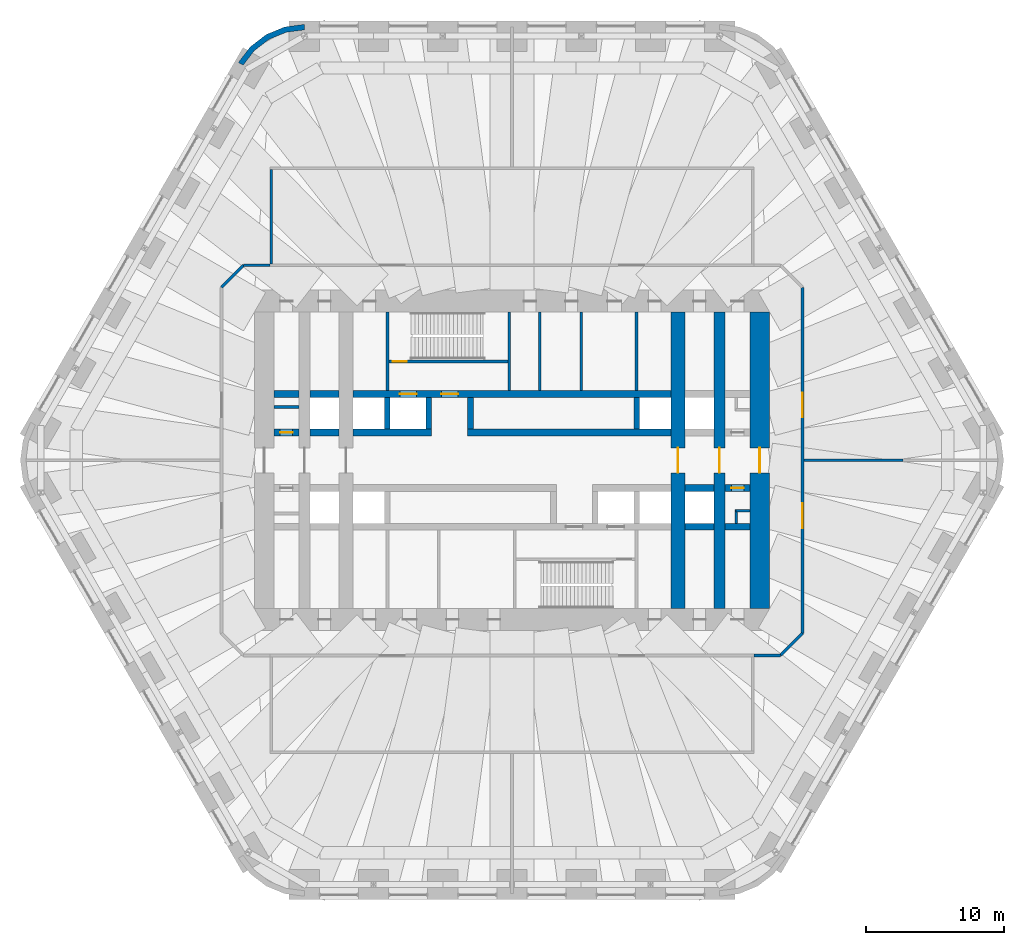
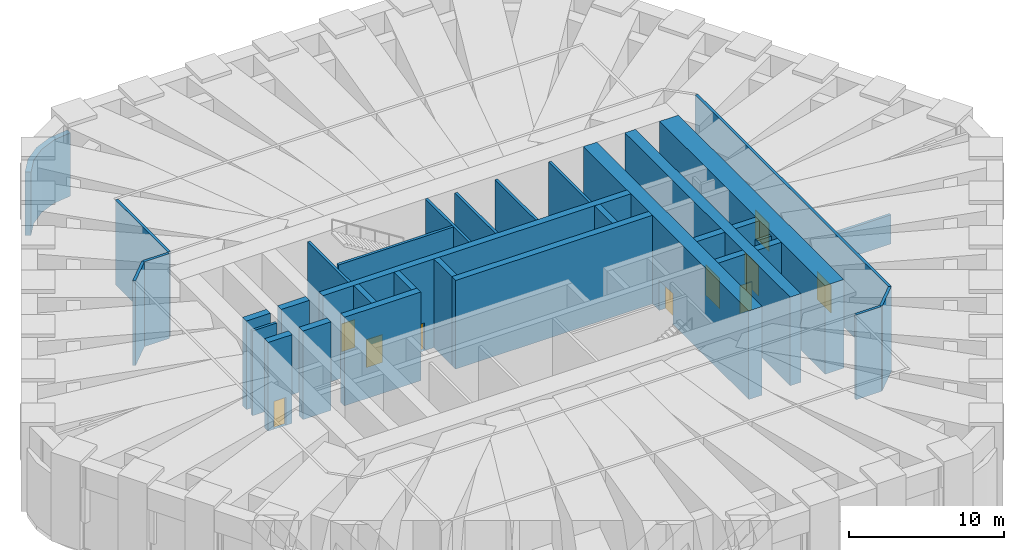
# One storey, part 14 of 16: 35 walls, 10 doors, 10 openings.
"""IFC4 building model written with IfcOpenShell, lengths in metres."""

from ifc_helpers import new_model, si_unit, direction, frame, frame_2d, origin, place, context, subcontext, project, spatial, polyline, rectangle, outline, extrude, material, layer, layer_set, type_object, element, fill, save


model = new_model("IFC4")

# Units and contexts
model_context = context("Model", 3, precision=1e-05, world=origin(), true_north=direction((0.0, 1.0)))
body_context = subcontext(model_context, "Body", "Model", "MODEL_VIEW")
ifc_project = project(units=[si_unit("LENGTHUNIT", "METRE"), si_unit("AREAUNIT", "SQUARE_METRE"), si_unit("VOLUMEUNIT", "CUBIC_METRE"), si_unit("PLANEANGLEUNIT", "RADIAN"), si_unit("MASSUNIT", "GRAM", prefix="KILO")], contexts=[model_context])

# Site, building, storey
site_placement = place(None, origin())
site = spatial("IfcSite", under=ifc_project, at=site_placement, CompositionType="ELEMENT")
building_placement = place(site_placement, origin())
building = spatial("IfcBuilding", under=site, at=building_placement, Name="Tarfa Lantern Tower", CompositionType="ELEMENT")
storey_placement = place(building_placement, frame((0.0, 0.0, 203.5)))
storey = spatial("IfcBuildingStorey", under=building, at=storey_placement, Name="L46", CompositionType="ELEMENT", Elevation=203.5)

# Walls
ifc_material_1 = material(Name="Limestone cladding on blockwork", Category="masonry")
ifc_layer_1 = layer(ifc_material_1, 0.39990234375)
ifc_layer_set_1 = layer_set([ifc_layer_1], Name="EW2 CURVED STONE CORNER 400")
wall_type_1 = type_object("IfcWallType", Name="EW2 CURVED STONE CORNER 400", PredefinedType="SOLIDWALL", material=ifc_layer_set_1)
wall_1_placement = place(storey_placement, origin())
element("IfcWall", 1, at=wall_1_placement, inside=storey, type_object=wall_type_1, Name="Stone corner N-NW", PredefinedType="SOLIDWALL", context=body_context, shape_type="SweptSolid", body=[
    extrude(outline(polyline([(-15.010986328125, 31.5), (-16.4345703125, 31.3125), (-17.760986328125, 30.76318359375), (-18.900146484375, 29.88916015625), (-19.774169921875, 28.75), (-19.427734375, 28.550048828125), (-18.617431640625, 29.606201171875), (-17.56103515625, 30.416748046875), (-16.3310546875, 30.92626953125), (-15.010986328125, 31.10009765625), (-15.010986328125, 31.5)])), origin(), (0.0, 0.0, 1.0), 5.0),
])
ifc_material_2 = material(Name="Concrete blockwork", Category="masonry")
ifc_layer_2 = layer(ifc_material_2, 0.199951171875)
ifc_layer_set_2 = layer_set([ifc_layer_2], Name="IW1 BLOCKWORK PARTITION 200 EI 120")
wall_type_2 = type_object("IfcWallType", Name="IW1 BLOCKWORK PARTITION 200 EI 120", PredefinedType="PARTITIONING", material=ifc_layer_set_2)
for number, where, z_axis, x_axis, name in (
    (2, (-9.0, 5.050048828125, 0.0), (0.0, 0.0, 1.0), (0.0, 1.0, 0.0), "Core partition"),
    (3, (9.0, 5.050048828125, 0.0), (0.0, 0.0, 1.0), (0.0, 1.0, 0.0), "Core partition"),
    (4, (2.0, 5.050048828125, 0.0), (0.0, 0.0, 1.0), (0.0, 1.0, 0.0), "Core partition"),
    (5, (5.0, 5.050048828125, 0.0), (0.0, 0.0, 1.0), (0.0, 1.0, 0.0), "Core partition"),
):
    element("IfcWall", number, at=place(storey_placement, frame(where, z_axis=z_axis, x_axis=x_axis)), inside=storey, type_object=wall_type_2, Name=name, PredefinedType="PARTITIONING", context=body_context, shape_type="SweptSolid", body=[
        extrude(rectangle(XDim=5.64990234375, YDim=0.199951171875, at=frame_2d((2.824951171875, 0.0))), origin(), (0.0, 0.0, 1.0), 6.699951171875),
    ])
wall_2_placement = place(storey_placement, frame((-17.199951171875, 3.85009765625, 0.0), z_axis=(0.0, 0.0, 1.0), x_axis=(1.0, 0.0, 0.0)))
element("IfcWall", 6, at=wall_2_placement, inside=storey, type_object=wall_type_2, Name="Core partition", PredefinedType="PARTITIONING", context=body_context, shape_type="SweptSolid", body=[
    extrude(rectangle(XDim=1.800048828125, YDim=0.199951171875, at=frame_2d((0.89990234375, 0.0))), origin(), (0.0, 0.0, 1.0), 6.699951171875),
])
for number, where, z_axis, x_axis, name in (
    (7, (17.199951171875, -3.64990234375, 0.0), (0.0, 0.0, 1.0), (-1.0, 0.0, 0.0), "Core partition"),
    (8, (16.199951171875, -3.550048828125, 0.0), (0.0, 0.0, 1.0), (0.0, -1.0, 0.0), "Core partition"),
):
    element("IfcWall", number, at=place(storey_placement, frame(where, z_axis=z_axis, x_axis=x_axis)), inside=storey, type_object=wall_type_2, Name=name, PredefinedType="PARTITIONING", context=body_context, shape_type="SweptSolid", body=[
        extrude(rectangle(XDim=1.0, YDim=0.199951171875, at=frame_2d((0.5, 0.0))), origin(), (0.0, 0.0, 1.0), 6.699951171875),
    ])
wall_3_placement = place(storey_placement, frame((-19.39990234375, 14.10009765625, 0.0), z_axis=(0.0, 0.0, 1.0), x_axis=(1.0, 0.0, 0.0)))
element("IfcWall", 9, at=wall_3_placement, inside=storey, type_object=wall_type_2, Name="Fire-rated partition", PredefinedType="PARTITIONING", context=body_context, shape_type="SweptSolid", body=[
    extrude(rectangle(XDim=1.89990234375, YDim=0.199951171875, at=frame_2d((0.949951171875, 0.0))), origin(), (0.0, 0.0, 1.0), 6.699951171875),
])

# Wall, openings, doors
wall_4_placement = place(storey_placement, frame((21.0, 12.5, 0.0), z_axis=(0.0, 0.0, 1.0), x_axis=(0.0, -1.0, 0.0)))
wall_4 = element("IfcWall", 10, at=wall_4_placement, inside=storey, type_object=wall_type_2, Name="Fire-rated partition", PredefinedType="PARTITIONING", context=body_context, shape_type="SweptSolid", body=[
    extrude(rectangle(XDim=25.0, YDim=0.199951171875, at=frame_2d((12.5, 0.0))), origin(), (0.0, 0.0, 1.0), 6.699951171875),
])
opening_1_placement = place(wall_4_placement, frame((7.60009765625, 0.0, 0.0)))
opening_1 = element("IfcOpeningElement", 11, at=opening_1_placement, cuts=wall_4, Name="Opening D33", PredefinedType="OPENING", context=body_context, shape_type="SweptSolid", body=[
    extrude(rectangle(XDim=1.800048828125, YDim=2.199951171875, at=frame_2d((0.89990234375, 1.10009765625))), frame((0.0, 0.10986328125, 0.0), z_axis=(0.0, -1.0, 0.0), x_axis=(1.0, 0.0, 0.0)), (0.0, 0.0, 1.0), 0.219970703125),
])
opening_2_placement = place(wall_4_placement, frame((15.60009765625, 0.0, 0.0)))
opening_2 = element("IfcOpeningElement", 12, at=opening_2_placement, cuts=wall_4, Name="Opening D35", PredefinedType="OPENING", context=body_context, shape_type="SweptSolid", body=[
    extrude(rectangle(XDim=1.800048828125, YDim=2.199951171875, at=frame_2d((0.89990234375, 1.10009765625))), frame((0.0, 0.10986328125, 0.0), z_axis=(0.0, -1.0, 0.0), x_axis=(1.0, 0.0, 0.0)), (0.0, 0.0, 1.0), 0.219970703125),
])
ifc_material_3 = material(Name="Steel fire door", Category="steel")
door_type_1 = type_object("IfcDoorType", Name="DF11 FIRE DOOR 1800x2200", OperationType="DOUBLE_DOOR_SINGLE_SWING", PredefinedType="DOOR", material=ifc_material_3)
door_1_placement = place(opening_1_placement, origin())
door_1 = element("IfcDoor", 13, at=door_1_placement, inside=storey, type_object=door_type_1, Name="Chilled water plant room door", OperationType="DOUBLE_DOOR_SINGLE_SWING", OverallHeight=2.199951171875, OverallWidth=1.800048828125, PredefinedType="DOOR", context=body_context, shape_type="SweptSolid", body=[
    extrude(rectangle(XDim=1.800048828125, YDim=2.199951171875, at=frame_2d((0.89990234375, 1.10009765625))), frame((0.0, 0.02490234375, 0.0), z_axis=(0.0, -1.0, 0.0), x_axis=(1.0, 0.0, 0.0)), (0.0, 0.0, 1.0), 0.050048828125),
])
fill(opening_1, door_1)
door_2_placement = place(opening_2_placement, origin())
door_2 = element("IfcDoor", 14, at=door_2_placement, inside=storey, type_object=door_type_1, Name="Electrical plant room door", OperationType="DOUBLE_DOOR_SINGLE_SWING", OverallHeight=2.199951171875, OverallWidth=1.800048828125, PredefinedType="DOOR", context=body_context, shape_type="SweptSolid", body=[
    extrude(rectangle(XDim=1.800048828125, YDim=2.199951171875, at=frame_2d((0.89990234375, 1.10009765625))), frame((0.0, 0.02490234375, 0.0), z_axis=(0.0, -1.0, 0.0), x_axis=(1.0, 0.0, 0.0)), (0.0, 0.0, 1.0), 0.050048828125),
])
fill(opening_2, door_2)

# Walls
wall_5_placement = place(storey_placement, frame((21.0, -12.5, 0.0), z_axis=(0.0, 0.0, 1.0), x_axis=(-0.707106781187, -0.707106781187, 0.0)))
element("IfcWall", 15, at=wall_5_placement, inside=storey, type_object=wall_type_2, Name="Fire-rated partition", PredefinedType="PARTITIONING", context=body_context, shape_type="SweptSolid", body=[
    extrude(rectangle(XDim=2.262939453125, YDim=0.199951171875, at=frame_2d((1.13134765625, 0.0))), origin(), (0.0, 0.0, 1.0), 6.699951171875),
])
wall_6_placement = place(storey_placement, frame((19.39990234375, -14.10009765625, 0.0), z_axis=(0.0, 0.0, 1.0), x_axis=(-1.0, 0.0, 0.0)))
element("IfcWall", 16, at=wall_6_placement, inside=storey, type_object=wall_type_2, Name="Fire-rated partition", PredefinedType="PARTITIONING", context=body_context, shape_type="SweptSolid", body=[
    extrude(rectangle(XDim=1.89990234375, YDim=0.199951171875, at=frame_2d((0.949951171875, 0.0))), origin(), (0.0, 0.0, 1.0), 6.699951171875),
])
wall_7_placement = place(storey_placement, frame((-21.0, 12.5, 0.0), z_axis=(0.0, 0.0, 1.0), x_axis=(0.707106781187, 0.707106781187, 0.0)))
element("IfcWall", 17, at=wall_7_placement, inside=storey, type_object=wall_type_2, Name="Fire-rated partition", PredefinedType="PARTITIONING", context=body_context, shape_type="SweptSolid", body=[
    extrude(rectangle(XDim=2.262939453125, YDim=0.199951171875, at=frame_2d((1.13134765625, 0.0))), origin(), (0.0, 0.0, 1.0), 6.699951171875),
])
wall_8_placement = place(storey_placement, frame((21.10009765625, 0.0, 0.0), z_axis=(0.0, 0.0, 1.0), x_axis=(1.0, 0.0, 0.0)))
element("IfcWall", 18, at=wall_8_placement, inside=storey, type_object=wall_type_2, Name="Fire-rated partition", PredefinedType="PARTITIONING", context=body_context, shape_type="SweptSolid", body=[
    extrude(rectangle(XDim=7.1484375, YDim=0.199951171875, at=frame_2d((3.57421875, 0.0))), origin(), (0.0, 0.0, 1.0), 2.300048828125),
])
ifc_material_4 = material(Name="Gypsum board on steel studs", Category="steel")
ifc_layer_3 = layer(ifc_material_4, 0.2099609375)
ifc_layer_set_3 = layer_set([ifc_layer_3], Name="IW2 ACOUSTIC PARTITION 200")
wall_type_3 = type_object("IfcWallType", Name="IW2 ACOUSTIC PARTITION 200", PredefinedType="PARTITIONING", material=ifc_layer_set_3)
wall_9_placement = place(storey_placement, frame((-17.39990234375, 14.199951171875, 0.0), z_axis=(0.0, 0.0, 1.0), x_axis=(0.0, 1.0, 0.0)))
element("IfcWall", 19, at=wall_9_placement, inside=storey, type_object=wall_type_3, Name="Partition", PredefinedType="PARTITIONING", context=body_context, shape_type="SweptSolid", body=[
    extrude(rectangle(XDim=6.800048828125, YDim=0.199951171875, at=frame_2d((3.39990234375, 0.0))), origin(), (0.0, 0.0, 1.0), 6.699951171875),
])

# Wall, opening, door
ifc_material_5 = material(Name="Concrete C80/95", Category="concrete")
ifc_layer_4 = layer(ifc_material_5, 0.800048828125)
ifc_layer_set_4 = layer_set([ifc_layer_4], Name="SW10 CORE WALL 800")
wall_type_4 = type_object("IfcWallType", Name="SW10 CORE WALL 800", PredefinedType="SHEAR", material=ifc_layer_set_4)
wall_10_placement = place(storey_placement, frame((15.0, -10.699951171875, 0.0), z_axis=(0.0, 0.0, 1.0), x_axis=(0.0, 1.0, 0.0)))
wall_10 = element("IfcWall", 20, at=wall_10_placement, inside=storey, type_object=wall_type_4, Name="Core wall cross 15 m east", PredefinedType="SHEAR", context=body_context, shape_type="SweptSolid", body=[
    extrude(rectangle(XDim=21.39990234375, YDim=0.800048828125, at=frame_2d((10.699951171875, 0.0))), origin(), (0.0, 0.0, 1.0), 7.0),
])
opening_3_placement = place(wall_10_placement, frame((9.800048828125, 0.0, 0.0)))
opening_3 = element("IfcOpeningElement", 21, at=opening_3_placement, cuts=wall_10, Name="Opening D30", PredefinedType="OPENING", context=body_context, shape_type="SweptSolid", body=[
    extrude(rectangle(XDim=1.800048828125, YDim=2.39990234375, at=frame_2d((0.89990234375, 1.199951171875))), frame((0.0, 0.409912109375, 0.0), z_axis=(0.0, -1.0, 0.0), x_axis=(1.0, 0.0, 0.0)), (0.0, 0.0, 1.0), 0.820068359375),
])
door_type_2 = type_object("IfcDoorType", Name="DL1 LOBBY DOOR 1800x2400", OperationType="DOUBLE_DOOR_SINGLE_SWING", PredefinedType="DOOR", material=ifc_material_3)
door_3_placement = place(opening_3_placement, origin())
door_3 = element("IfcDoor", 22, at=door_3_placement, inside=storey, type_object=door_type_2, Name="Lift lobby door", OperationType="DOUBLE_DOOR_SINGLE_SWING", OverallHeight=2.39990234375, OverallWidth=1.800048828125, PredefinedType="DOOR", context=body_context, shape_type="SweptSolid", body=[
    extrude(rectangle(XDim=1.800048828125, YDim=2.39990234375, at=frame_2d((0.89990234375, 1.199951171875))), frame((0.0, 0.02490234375, 0.0), z_axis=(0.0, -1.0, 0.0), x_axis=(1.0, 0.0, 0.0)), (0.0, 0.0, 1.0), 0.050048828125),
])
fill(opening_3, door_3)

ifc_layer_5 = layer(ifc_material_5, 1.39990234375)
ifc_layer_set_5 = layer_set([ifc_layer_5], Name="SW11 CORE WALL 1400")
wall_type_5 = type_object("IfcWallType", Name="SW11 CORE WALL 1400", PredefinedType="SHEAR", material=ifc_layer_set_5)
wall_11_placement = place(storey_placement, frame((17.89990234375, -10.699951171875, 0.0), z_axis=(0.0, 0.0, 1.0), x_axis=(0.0, 1.0, 0.0)))
wall_11 = element("IfcWall", 23, at=wall_11_placement, inside=storey, type_object=wall_type_5, Name="Core wall E", PredefinedType="SHEAR", context=body_context, shape_type="SweptSolid", body=[
    extrude(rectangle(XDim=21.39990234375, YDim=1.39990234375, at=frame_2d((10.699951171875, 0.0))), origin(), (0.0, 0.0, 1.0), 7.0),
])
opening_4_placement = place(wall_11_placement, frame((9.800048828125, 0.0, 0.0)))
opening_4 = element("IfcOpeningElement", 24, at=opening_4_placement, cuts=wall_11, Name="Opening D15", PredefinedType="OPENING", context=body_context, shape_type="SweptSolid", body=[
    extrude(rectangle(XDim=1.800048828125, YDim=2.39990234375, at=frame_2d((0.89990234375, 1.199951171875))), frame((0.0, 0.7099609375, 0.0), z_axis=(0.0, -1.0, 0.0), x_axis=(1.0, 0.0, 0.0)), (0.0, 0.0, 1.0), 1.419921875),
])
door_4_placement = place(opening_4_placement, frame((1.800048828125, 0.0, 0.0), z_axis=(0.0, 0.0, 1.0), x_axis=(-1.0, 0.0, 0.0)))
door_4 = element("IfcDoor", 25, at=door_4_placement, inside=storey, type_object=door_type_2, Name="Lift lobby door", OperationType="DOUBLE_DOOR_SINGLE_SWING", OverallHeight=2.39990234375, OverallWidth=1.800048828125, PredefinedType="DOOR", context=body_context, shape_type="SweptSolid", body=[
    extrude(rectangle(XDim=1.800048828125, YDim=2.39990234375, at=frame_2d((0.89990234375, 1.199951171875))), frame((0.0, 0.02490234375, 0.0), z_axis=(0.0, -1.0, 0.0), x_axis=(1.0, 0.0, 0.0)), (0.0, 0.0, 1.0), 0.050048828125),
])
fill(opening_4, door_4)

# Wall
ifc_layer_6 = layer(ifc_material_5, 0.199951171875)
ifc_layer_set_6 = layer_set([ifc_layer_6], Name="SW12 CORE WALL 200")
wall_type_6 = type_object("IfcWallType", Name="SW12 CORE WALL 200", PredefinedType="SHEAR", material=ifc_layer_set_6)
wall_12_placement = place(storey_placement, frame((-0.199951171875, 5.050048828125, 0.0), z_axis=(0.0, 0.0, 1.0), x_axis=(0.0, 1.0, 0.0)))
element("IfcWall", 26, at=wall_12_placement, inside=storey, type_object=wall_type_6, Name="Core wall stair shaft N", PredefinedType="SHEAR", context=body_context, shape_type="SweptSolid", body=[
    extrude(rectangle(XDim=5.64990234375, YDim=0.199951171875, at=frame_2d((2.824951171875, 0.0))), origin(), (0.0, 0.0, 1.0), 7.0),
])

# Wall, opening, door
wall_13_placement = place(storey_placement, frame((-8.89990234375, 7.14990234375, 0.0), z_axis=(0.0, 0.0, 1.0), x_axis=(1.0, 0.0, 0.0)))
wall_13 = element("IfcWall", 27, at=wall_13_placement, inside=storey, type_object=wall_type_6, Name="Core wall stair partition N", PredefinedType="SHEAR", context=body_context, shape_type="SweptSolid", body=[
    extrude(rectangle(XDim=8.599853515625, YDim=0.199951171875, at=frame_2d((4.2998046875, 0.0))), origin(), (0.0, 0.0, 1.0), 7.0),
])
opening_5_placement = place(wall_13_placement, frame((0.300048828125, 0.0, 0.0)))
opening_5 = element("IfcOpeningElement", 28, at=opening_5_placement, cuts=wall_13, Name="Opening D27", PredefinedType="OPENING", context=body_context, shape_type="SweptSolid", body=[
    extrude(rectangle(XDim=1.0, YDim=2.199951171875, at=frame_2d((0.5, 1.10009765625))), frame((0.0, 0.10986328125, 0.0), z_axis=(0.0, -1.0, 0.0), x_axis=(1.0, 0.0, 0.0)), (0.0, 0.0, 1.0), 0.219970703125),
])
door_type_3 = type_object("IfcDoorType", Name="DF2 STAIR DOOR 1000x2200", OperationType="SINGLE_SWING_LEFT", PredefinedType="DOOR", material=ifc_material_3)
door_5_placement = place(opening_5_placement, origin())
door_5 = element("IfcDoor", 29, at=door_5_placement, inside=storey, type_object=door_type_3, Name="Stair door", OperationType="SINGLE_SWING_RIGHT", OverallHeight=2.199951171875, OverallWidth=1.0, PredefinedType="DOOR", context=body_context, shape_type="SweptSolid", body=[
    extrude(rectangle(XDim=1.0, YDim=2.199951171875, at=frame_2d((0.5, 1.10009765625))), frame((0.0, 0.02490234375, 0.0), z_axis=(0.0, -1.0, 0.0), x_axis=(1.0, 0.0, 0.0)), (0.0, 0.0, 1.0), 0.050048828125),
])
fill(opening_5, door_5)

ifc_layer_7 = layer(ifc_material_5, 1.0)
ifc_layer_set_7 = layer_set([ifc_layer_7], Name="SW2 CORE WALL 1000")
wall_type_7 = type_object("IfcWallType", Name="SW2 CORE WALL 1000", PredefinedType="SHEAR", material=ifc_layer_set_7)
wall_14_placement = place(storey_placement, frame((12.0, -10.699951171875, 0.0), z_axis=(0.0, 0.0, 1.0), x_axis=(0.0, 1.0, 0.0)))
wall_14 = element("IfcWall", 30, at=wall_14_placement, inside=storey, type_object=wall_type_7, Name="Core wall cross 12 m east", PredefinedType="SHEAR", context=body_context, shape_type="SweptSolid", body=[
    extrude(rectangle(XDim=21.39990234375, YDim=1.0, at=frame_2d((10.699951171875, 0.0))), origin(), (0.0, 0.0, 1.0), 7.0),
])
opening_6_placement = place(wall_14_placement, frame((9.800048828125, 0.0, 0.0)))
opening_6 = element("IfcOpeningElement", 31, at=opening_6_placement, cuts=wall_14, Name="Opening D29", PredefinedType="OPENING", context=body_context, shape_type="SweptSolid", body=[
    extrude(rectangle(XDim=1.800048828125, YDim=2.39990234375, at=frame_2d((0.89990234375, 1.199951171875))), frame((0.0, 0.510009765625, 0.0), z_axis=(0.0, -1.0, 0.0), x_axis=(1.0, 0.0, 0.0)), (0.0, 0.0, 1.0), 1.02001953125),
])
door_6_placement = place(opening_6_placement, origin())
door_6 = element("IfcDoor", 32, at=door_6_placement, inside=storey, type_object=door_type_2, Name="Lift lobby door", OperationType="DOUBLE_DOOR_SINGLE_SWING", OverallHeight=2.39990234375, OverallWidth=1.800048828125, PredefinedType="DOOR", context=body_context, shape_type="SweptSolid", body=[
    extrude(rectangle(XDim=1.800048828125, YDim=2.39990234375, at=frame_2d((0.89990234375, 1.199951171875))), frame((0.0, 0.02490234375, 0.0), z_axis=(0.0, -1.0, 0.0), x_axis=(1.0, 0.0, 0.0)), (0.0, 0.0, 1.0), 0.050048828125),
])
fill(opening_6, door_6)

ifc_layer_8 = layer(ifc_material_5, 0.5)
ifc_layer_set_8 = layer_set([ifc_layer_8], Name="SW5 CORE WALL 500")
wall_type_8 = type_object("IfcWallType", Name="SW5 CORE WALL 500", PredefinedType="SHEAR", material=ifc_layer_set_8)
wall_15_placement = place(storey_placement, frame((-17.199951171875, 2.0, 0.0), z_axis=(0.0, 0.0, 1.0), x_axis=(1.0, 0.0, 0.0)))
wall_15 = element("IfcWall", 33, at=wall_15_placement, inside=storey, type_object=wall_type_8, Name="Core wall lobby west N", PredefinedType="SHEAR", context=body_context, shape_type="SweptSolid", body=[
    extrude(rectangle(XDim=1.800048828125, YDim=0.5, at=frame_2d((0.89990234375, 0.0))), origin(), (0.0, 0.0, 1.0), 7.0),
])
opening_7_placement = place(wall_15_placement, frame((0.449951171875, 0.0, 0.0)))
opening_7 = element("IfcOpeningElement", 34, at=opening_7_placement, cuts=wall_15, Name="Opening D19", PredefinedType="OPENING", context=body_context, shape_type="SweptSolid", body=[
    extrude(rectangle(XDim=0.89990234375, YDim=2.199951171875, at=frame_2d((0.449951171875, 1.10009765625))), frame((0.0, 0.260009765625, 0.0), z_axis=(0.0, -1.0, 0.0), x_axis=(1.0, 0.0, 0.0)), (0.0, 0.0, 1.0), 0.52001953125),
])
door_type_4 = type_object("IfcDoorType", Name="DF6 SERVICE ROOM DOOR 900x2200", OperationType="SINGLE_SWING_LEFT", PredefinedType="DOOR", material=ifc_material_3)
door_7_placement = place(opening_7_placement, origin())
door_7 = element("IfcDoor", 35, at=door_7_placement, inside=storey, type_object=door_type_4, Name="Service room door", OperationType="SINGLE_SWING_LEFT", OverallHeight=2.199951171875, OverallWidth=0.89990234375, PredefinedType="DOOR", context=body_context, shape_type="SweptSolid", body=[
    extrude(rectangle(XDim=0.89990234375, YDim=2.199951171875, at=frame_2d((0.449951171875, 1.10009765625))), frame((0.0, 0.02490234375, 0.0), z_axis=(0.0, -1.0, 0.0), x_axis=(1.0, 0.0, 0.0)), (0.0, 0.0, 1.0), 0.050048828125),
])
fill(opening_7, door_7)

# Walls
wall_16_placement = place(storey_placement, frame((-14.60009765625, 2.0, 0.0), z_axis=(0.0, 0.0, 1.0), x_axis=(1.0, 0.0, 0.0)))
element("IfcWall", 36, at=wall_16_placement, inside=storey, type_object=wall_type_8, Name="Core wall lobby west N", PredefinedType="SHEAR", context=body_context, shape_type="SweptSolid", body=[
    extrude(rectangle(XDim=2.10009765625, YDim=0.5, at=frame_2d((1.050048828125, 0.0))), origin(), (0.0, 0.0, 1.0), 7.0),
])
wall_17_placement = place(storey_placement, frame((-11.5, 2.0, 0.0), z_axis=(0.0, 0.0, 1.0), x_axis=(1.0, 0.0, 0.0)))
element("IfcWall", 37, at=wall_17_placement, inside=storey, type_object=wall_type_8, Name="Core wall lobby west N", PredefinedType="SHEAR", context=body_context, shape_type="SweptSolid", body=[
    extrude(rectangle(XDim=5.699951171875, YDim=0.5, at=frame_2d((2.85009765625, 0.0))), origin(), (0.0, 0.0, 1.0), 7.0),
])
wall_18_placement = place(storey_placement, frame((-3.199951171875, 2.0, 0.0), z_axis=(0.0, 0.0, 1.0), x_axis=(1.0, 0.0, 0.0)))
element("IfcWall", 38, at=wall_18_placement, inside=storey, type_object=wall_type_8, Name="Core wall lobby east N", PredefinedType="SHEAR", context=body_context, shape_type="SweptSolid", body=[
    extrude(rectangle(XDim=14.699951171875, YDim=0.5, at=frame_2d((7.35009765625, 0.0))), origin(), (0.0, 0.0, 1.0), 7.0),
])
wall_19_placement = place(storey_placement, frame((-17.199951171875, 4.800048828125, 0.0), z_axis=(0.0, 0.0, 1.0), x_axis=(1.0, 0.0, 0.0)))
element("IfcWall", 39, at=wall_19_placement, inside=storey, type_object=wall_type_8, Name="Core wall rear N", PredefinedType="SHEAR", context=body_context, shape_type="SweptSolid", body=[
    extrude(rectangle(XDim=1.800048828125, YDim=0.5, at=frame_2d((0.89990234375, 0.0))), origin(), (0.0, 0.0, 1.0), 7.0),
])
wall_20_placement = place(storey_placement, frame((-14.60009765625, 4.800048828125, 0.0), z_axis=(0.0, 0.0, 1.0), x_axis=(1.0, 0.0, 0.0)))
element("IfcWall", 40, at=wall_20_placement, inside=storey, type_object=wall_type_8, Name="Core wall rear N", PredefinedType="SHEAR", context=body_context, shape_type="SweptSolid", body=[
    extrude(rectangle(XDim=2.10009765625, YDim=0.5, at=frame_2d((1.050048828125, 0.0))), origin(), (0.0, 0.0, 1.0), 7.0),
])

# Wall, openings, doors
wall_21_placement = place(storey_placement, frame((-11.5, 4.800048828125, 0.0), z_axis=(0.0, 0.0, 1.0), x_axis=(1.0, 0.0, 0.0)))
wall_21 = element("IfcWall", 41, at=wall_21_placement, inside=storey, type_object=wall_type_8, Name="Core wall rear N", PredefinedType="SHEAR", context=body_context, shape_type="SweptSolid", body=[
    extrude(rectangle(XDim=23.0, YDim=0.5, at=frame_2d((11.5, 0.0))), origin(), (0.0, 0.0, 1.0), 7.0),
])
opening_8_placement = place(wall_21_placement, frame((6.39990234375, 0.0, 0.0)))
opening_8 = element("IfcOpeningElement", 42, at=opening_8_placement, cuts=wall_21, Name="Opening D13", PredefinedType="OPENING", context=body_context, shape_type="SweptSolid", body=[
    extrude(rectangle(XDim=1.199951171875, YDim=2.199951171875, at=frame_2d((0.60009765625, 1.10009765625))), frame((0.0, 0.260009765625, 0.0), z_axis=(0.0, -1.0, 0.0), x_axis=(1.0, 0.0, 0.0)), (0.0, 0.0, 1.0), 0.52001953125),
])
opening_9_placement = place(wall_21_placement, frame((3.39990234375, 0.0, 0.0)))
opening_9 = element("IfcOpeningElement", 43, at=opening_9_placement, cuts=wall_21, Name="Opening LD01", PredefinedType="OPENING", context=body_context, shape_type="SweptSolid", body=[
    extrude(rectangle(XDim=1.199951171875, YDim=2.199951171875, at=frame_2d((0.60009765625, 1.10009765625))), frame((0.0, 0.260009765625, 0.0), z_axis=(0.0, -1.0, 0.0), x_axis=(1.0, 0.0, 0.0)), (0.0, 0.0, 1.0), 0.52001953125),
])
door_type_5 = type_object("IfcDoorType", Name="DF1 FIREFIGHTING LOBBY DOOR 1200x2200", OperationType="SINGLE_SWING_LEFT", PredefinedType="DOOR", material=ifc_material_3)
door_8_placement = place(opening_8_placement, origin())
door_8 = element("IfcDoor", 44, at=door_8_placement, inside=storey, type_object=door_type_5, Name="Firefighting lobby door", OperationType="SINGLE_SWING_LEFT", OverallHeight=2.199951171875, OverallWidth=1.199951171875, PredefinedType="DOOR", context=body_context, shape_type="SweptSolid", body=[
    extrude(rectangle(XDim=1.199951171875, YDim=2.199951171875, at=frame_2d((0.60009765625, 1.10009765625))), frame((0.0, 0.02490234375, 0.0), z_axis=(0.0, -1.0, 0.0), x_axis=(1.0, 0.0, 0.0)), (0.0, 0.0, 1.0), 0.050048828125),
])
fill(opening_8, door_8)
ifc_material_6 = material(Name="Stainless steel lift door", Category="steel")
door_type_6 = type_object("IfcDoorType", Name="LD1 LIFT LANDING DOOR 1200x2200", OperationType="SLIDING_TO_LEFT", PredefinedType="DOOR", material=ifc_material_6)
door_9_placement = place(opening_9_placement, origin())
door_9 = element("IfcDoor", 45, at=door_9_placement, inside=storey, type_object=door_type_6, Name="Landing door FL1", OperationType="SLIDING_TO_LEFT", OverallHeight=2.199951171875, OverallWidth=1.199951171875, PredefinedType="DOOR", context=body_context, shape_type="SweptSolid", body=[
    extrude(rectangle(XDim=1.199951171875, YDim=2.199951171875, at=frame_2d((0.60009765625, 1.10009765625))), frame((0.0, 0.02490234375, 0.0), z_axis=(0.0, -1.0, 0.0), x_axis=(1.0, 0.0, 0.0)), (0.0, 0.0, 1.0), 0.050048828125),
])
fill(opening_9, door_9)

# Wall, opening, door
wall_22_placement = place(storey_placement, frame((17.199951171875, -2.0, 0.0), z_axis=(0.0, 0.0, 1.0), x_axis=(-1.0, 0.0, 0.0)))
wall_22 = element("IfcWall", 46, at=wall_22_placement, inside=storey, type_object=wall_type_8, Name="Core wall lobby west S", PredefinedType="SHEAR", context=body_context, shape_type="SweptSolid", body=[
    extrude(rectangle(XDim=1.800048828125, YDim=0.5, at=frame_2d((0.89990234375, 0.0))), origin(), (0.0, 0.0, 1.0), 7.0),
])
opening_10_placement = place(wall_22_placement, frame((0.449951171875, 0.0, 0.0)))
opening_10 = element("IfcOpeningElement", 47, at=opening_10_placement, cuts=wall_22, Name="Opening D20", PredefinedType="OPENING", context=body_context, shape_type="SweptSolid", body=[
    extrude(rectangle(XDim=0.89990234375, YDim=2.199951171875, at=frame_2d((0.449951171875, 1.10009765625))), frame((0.0, 0.260009765625, 0.0), z_axis=(0.0, -1.0, 0.0), x_axis=(1.0, 0.0, 0.0)), (0.0, 0.0, 1.0), 0.52001953125),
])
door_10_placement = place(opening_10_placement, origin())
door_10 = element("IfcDoor", 48, at=door_10_placement, inside=storey, type_object=door_type_4, Name="Service room door", OperationType="SINGLE_SWING_LEFT", OverallHeight=2.199951171875, OverallWidth=0.89990234375, PredefinedType="DOOR", context=body_context, shape_type="SweptSolid", body=[
    extrude(rectangle(XDim=0.89990234375, YDim=2.199951171875, at=frame_2d((0.449951171875, 1.10009765625))), frame((0.0, 0.02490234375, 0.0), z_axis=(0.0, -1.0, 0.0), x_axis=(1.0, 0.0, 0.0)), (0.0, 0.0, 1.0), 0.050048828125),
])
fill(opening_10, door_10)

# Walls
wall_23_placement = place(storey_placement, frame((14.60009765625, -2.0, 0.0), z_axis=(0.0, 0.0, 1.0), x_axis=(-1.0, 0.0, 0.0)))
element("IfcWall", 49, at=wall_23_placement, inside=storey, type_object=wall_type_8, Name="Core wall lobby west S", PredefinedType="SHEAR", context=body_context, shape_type="SweptSolid", body=[
    extrude(rectangle(XDim=2.10009765625, YDim=0.5, at=frame_2d((1.050048828125, 0.0))), origin(), (0.0, 0.0, 1.0), 7.0),
])
wall_24_placement = place(storey_placement, frame((17.199951171875, -4.800048828125, 0.0), z_axis=(0.0, 0.0, 1.0), x_axis=(-1.0, 0.0, 0.0)))
element("IfcWall", 50, at=wall_24_placement, inside=storey, type_object=wall_type_8, Name="Core wall rear S", PredefinedType="SHEAR", context=body_context, shape_type="SweptSolid", body=[
    extrude(rectangle(XDim=1.800048828125, YDim=0.5, at=frame_2d((0.89990234375, 0.0))), origin(), (0.0, 0.0, 1.0), 7.0),
])
wall_25_placement = place(storey_placement, frame((14.60009765625, -4.800048828125, 0.0), z_axis=(0.0, 0.0, 1.0), x_axis=(-1.0, 0.0, 0.0)))
element("IfcWall", 51, at=wall_25_placement, inside=storey, type_object=wall_type_8, Name="Core wall rear S", PredefinedType="SHEAR", context=body_context, shape_type="SweptSolid", body=[
    extrude(rectangle(XDim=2.10009765625, YDim=0.5, at=frame_2d((1.050048828125, 0.0))), origin(), (0.0, 0.0, 1.0), 7.0),
])
ifc_layer_9 = layer(ifc_material_5, 0.39990234375)
ifc_layer_set_9 = layer_set([ifc_layer_9], Name="SW6 CORE WALL 400")
wall_type_9 = type_object("IfcWallType", Name="SW6 CORE WALL 400", PredefinedType="SHEAR", material=ifc_layer_set_9)
for number, where, z_axis, x_axis, name in (
    (52, (-9.0, 2.25, 0.0), (0.0, 0.0, 1.0), (0.0, 1.0, 0.0), "Core wall divider N"),
    (53, (-6.0, 2.25, 0.0), (0.0, 0.0, 1.0), (0.0, 1.0, 0.0), "Core wall divider N"),
    (54, (-3.0, 2.25, 0.0), (0.0, 0.0, 1.0), (0.0, 1.0, 0.0), "Core wall divider N"),
    (55, (9.0, 2.25, 0.0), (0.0, 0.0, 1.0), (0.0, 1.0, 0.0), "Core wall divider N"),
):
    element("IfcWall", number, at=place(storey_placement, frame(where, z_axis=z_axis, x_axis=x_axis)), inside=storey, type_object=wall_type_9, Name=name, PredefinedType="SHEAR", context=body_context, shape_type="SweptSolid", body=[
        extrude(rectangle(XDim=2.300048828125, YDim=0.39990234375, at=frame_2d((1.14990234375, 0.0))), origin(), (0.0, 0.0, 1.0), 7.0),
    ])

save(model, "model.ifc")
